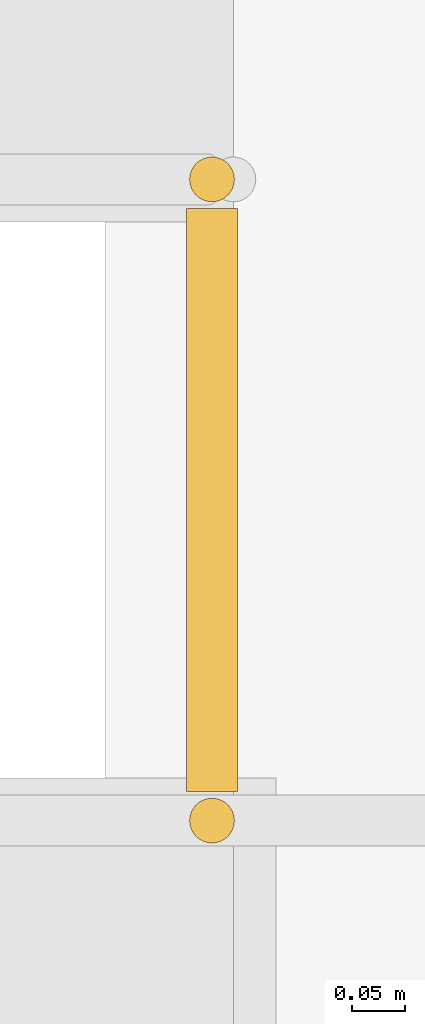
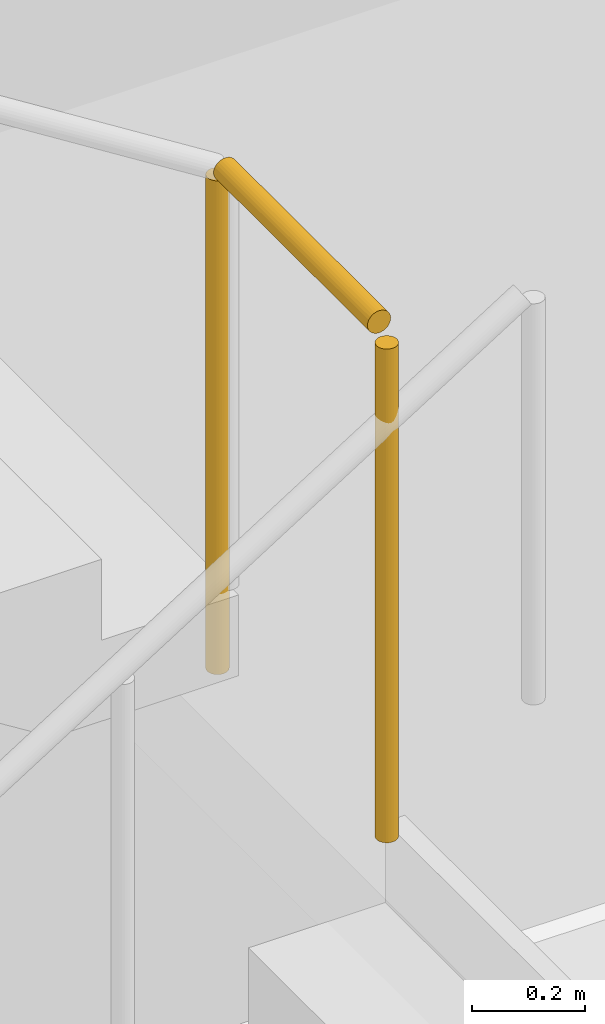
# One storey, part 144 of 152: 1 railing.
"""IFC4 building model written with IfcOpenShell, lengths in metres."""

from ifc_helpers import new_model, si_unit, direction, frame, origin, origin_2d, place, context, subcontext, project, spatial, circle, extrude, material, type_object, element, save


model = new_model("IFC4")

# Units and contexts
model_context = context("Model", 3, precision=1e-05, world=origin(), true_north=direction((0.0, 1.0)))
body_context = subcontext(model_context, "Body", "Model", "MODEL_VIEW")
ifc_project = project(units=[si_unit("LENGTHUNIT", "METRE"), si_unit("AREAUNIT", "SQUARE_METRE"), si_unit("VOLUMEUNIT", "CUBIC_METRE"), si_unit("PLANEANGLEUNIT", "RADIAN"), si_unit("MASSUNIT", "GRAM", prefix="KILO"), si_unit("THERMODYNAMICTEMPERATUREUNIT", "KELVIN"), si_unit("POWERUNIT", "WATT")], contexts=[model_context])

# Site, building, storey
site_placement = place(None, origin())
site = spatial("IfcSite", under=ifc_project, at=site_placement, CompositionType="ELEMENT")
building_placement = place(site_placement, origin())
building = spatial("IfcBuilding", under=site, at=building_placement, Name="Darbajah Civic Hall", CompositionType="ELEMENT")
storey_placement = place(building_placement, frame((0.0, 0.0, 5.39990234375)))
storey = spatial("IfcBuildingStorey", under=building, at=storey_placement, Name="L01", CompositionType="ELEMENT", Elevation=5.39990234375)

# Railing
ifc_material = material(Name="Brushed Bronze and Laminated Safety Glass", Category="glass")
railing_type = type_object("IfcRailingType", Name="Interior Guard Balustrade", PredefinedType="BALUSTRADE", material=ifc_material)
railing_placement = place(storey_placement, frame((82.5400390625, 64.39990234375, 2.10009765625)))
element("IfcRailing", 1, at=railing_placement, inside=storey, type_object=railing_type, Name="ST03 L01 landing well guard", PredefinedType="BALUSTRADE", context=body_context, shape_type="SweptSolid", body=[
    extrude(circle(Radius=0.02392578125, at=origin_2d()), frame((0.0, 0.02734375, 1.09619140625), z_axis=(0.0, 1.0, 0.0), x_axis=(-1.0, 0.0, 0.0)), (0.0, 0.0, 1.0), 0.54541015625),
    extrude(circle(Radius=0.02099609375, at=origin_2d()), origin(), (0.0, 0.0, 1.0), 1.068115234375),
    extrude(circle(Radius=0.02099609375, at=origin_2d()), frame((0.0, 0.60009765625, 0.0)), (0.0, 0.0, 1.0), 1.068115234375),
])

save(model, "model.ifc")
